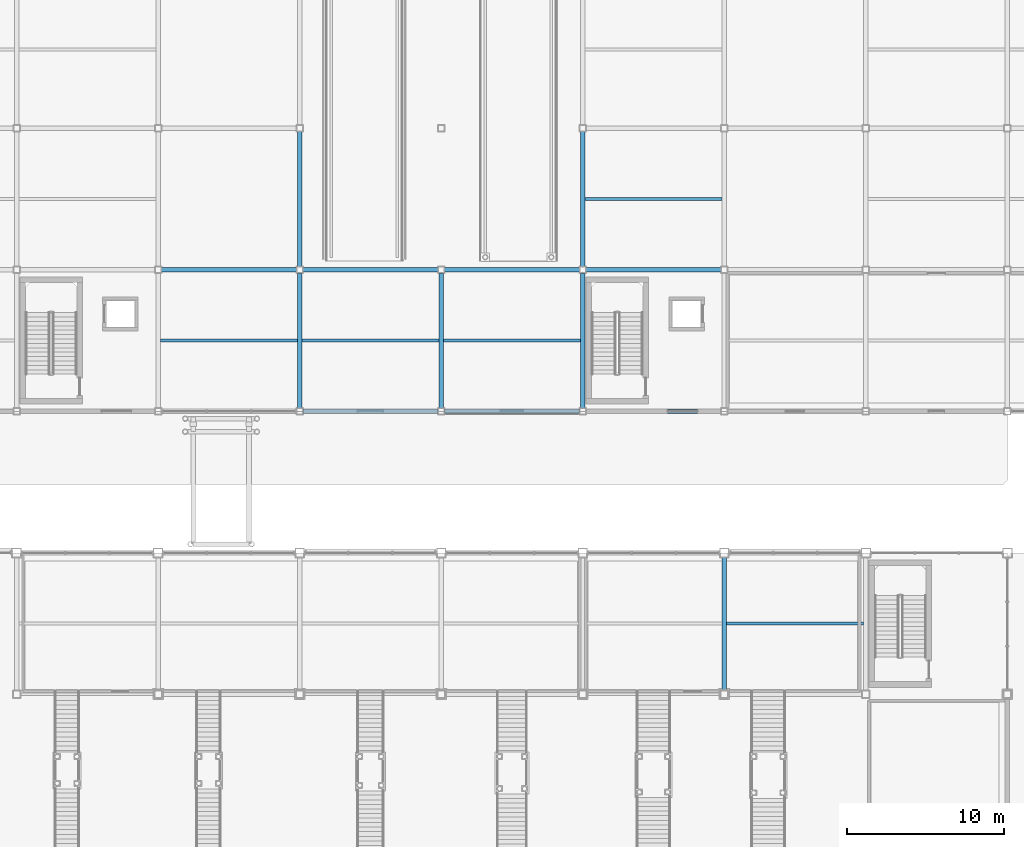
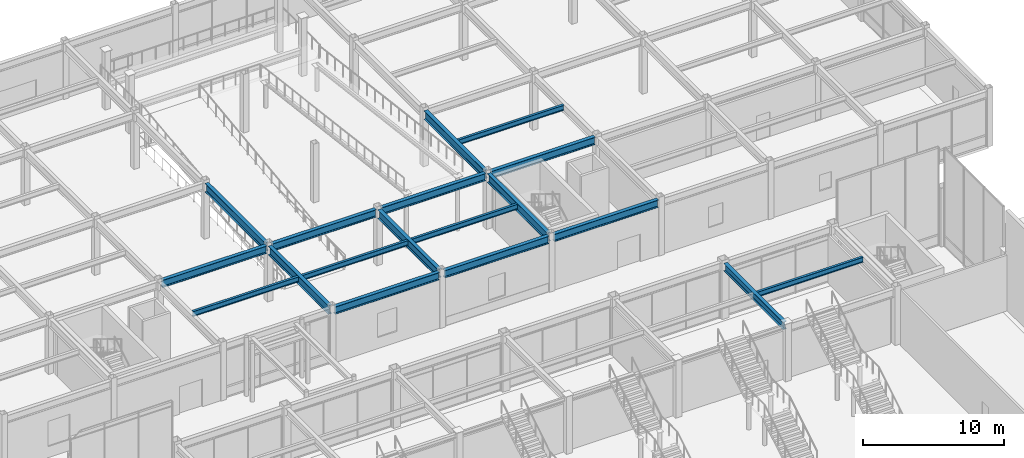
# One storey, part 48 of 123: 18 beams.
"""IFC4 building model written with IfcOpenShell, lengths in metres."""

from ifc_helpers import new_model, si_unit, direction, frame, origin, origin_2d, place, context, subcontext, project, spatial, i_section, extrude, material, material_profile, profile_set, type_object, element, save


model = new_model("IFC4")

# Units and contexts
model_context = context("Model", 3, precision=1e-05, world=origin(), true_north=direction((0.0, 1.0)))
body_context = subcontext(model_context, "Body", "Model", "MODEL_VIEW")
ifc_project = project(units=[si_unit("LENGTHUNIT", "METRE"), si_unit("AREAUNIT", "SQUARE_METRE"), si_unit("VOLUMEUNIT", "CUBIC_METRE"), si_unit("PLANEANGLEUNIT", "RADIAN"), si_unit("MASSUNIT", "GRAM", prefix="KILO")], contexts=[model_context])

# Site, building, storey
site_placement = place(None, origin())
site = spatial("IfcSite", under=ifc_project, at=site_placement, CompositionType="ELEMENT")
building_placement = place(site_placement, origin())
building = spatial("IfcBuilding", under=site, at=building_placement, Name="Suzunagisa Mobility Hub", CompositionType="ELEMENT")
storey_placement = place(building_placement, origin())
storey = spatial("IfcBuildingStorey", under=building, at=storey_placement, Name="L00", CompositionType="ELEMENT", Elevation=0.0)

# Beams
ifc_material_1 = material(Name="Steel SN400B", Category="steel")
ifc_material_profile_1 = material_profile(ifc_material_1, i_section(OverallWidth=0.199951171875, OverallDepth=0.449951171875, WebThickness=0.009033203125, FlangeThickness=0.013916015625, FilletRadius=0.012939453125, at=origin_2d()), Name="H-450x200x9x14")
ifc_profile_set_1 = profile_set([ifc_material_profile_1], Name="Steel SN400B")
beam_type_1 = type_object("IfcBeamType", Name="Steel Beam BM-05 H-450x200x9x14", PredefinedType="JOIST", material=ifc_profile_set_1)
for number, where, z_axis, x_axis, name in (
    (1, (99.14990234375, 66.5, 4.625), (1.0, 0.0, 0.0), (0.0, 1.0, 0.0), "L00 Composite Floor Joist J-412"),
    (2, (63.14990234375, 84.5, 4.614990234375), (1.0, 0.0, 0.0), (0.0, 1.0, 0.0), "L00 Composite Floor Joist J-786"),
    (3, (72.14990234375, 84.5, 4.614990234375), (1.0, 0.0, 0.0), (0.0, 1.0, 0.0), "L00 Composite Floor Joist J-788"),
    (4, (81.14990234375, 84.5, 4.614990234375), (1.0, 0.0, 0.0), (0.0, 1.0, 0.0), "L00 Composite Floor Joist J-789"),
    (5, (90.14990234375, 93.5, 4.614990234375), (1.0, 0.0, 0.0), (0.0, 1.0, 0.0), "L00 Composite Floor Joist J-790"),
):
    element("IfcBeam", number, at=place(storey_placement, frame(where, z_axis=z_axis, x_axis=x_axis)), inside=storey, type_object=beam_type_1, Name=name, PredefinedType="JOIST", context=body_context, shape_type="SweptSolid", body=[
        extrude(i_section(OverallWidth=0.199951171875, OverallDepth=0.449951171875, WebThickness=0.009033203125, FlangeThickness=0.013916015625, FilletRadius=0.012939453125, at=origin_2d()), origin(), (0.0, 0.0, 1.0), 8.7001953125),
    ])
ifc_material_2 = material(Name="Steel SN490B", Category="steel")
ifc_material_profile_2 = material_profile(ifc_material_2, i_section(OverallWidth=0.300048828125, OverallDepth=0.64990234375, WebThickness=0.012939453125, FlangeThickness=0.02197265625, FilletRadius=0.01611328125, at=origin_2d()), Name="H-650x300x13x22")
ifc_profile_set_2 = profile_set([ifc_material_profile_2], Name="Steel SN490B")
beam_type_2 = type_object("IfcBeamType", Name="Steel Beam BM-10 H-650x300x13x22", PredefinedType="BEAM", material=ifc_profile_set_2)
beam_placement = place(storey_placement, frame((99.0, 62.24609375, 4.52490234375), z_axis=(0.0, 1.0, 0.0), x_axis=(-1.0, 0.0, 0.0)))
element("IfcBeam", 6, at=beam_placement, inside=storey, type_object=beam_type_2, Name="L00 Primary Girder GY-405", PredefinedType="BEAM", context=body_context, shape_type="SweptSolid", body=[
    extrude(i_section(OverallWidth=0.300048828125, OverallDepth=0.64990234375, WebThickness=0.012939453125, FlangeThickness=0.02197265625, FilletRadius=0.01611328125, at=origin_2d()), origin(), (0.0, 0.0, 1.0), 8.4580078125),
])
for number, where, z_axis, x_axis, name in (
    (7, (72.220947265625, 80.0, 4.514892578125), (1.0, 0.0, 0.0), (0.0, 1.0, 0.0), "L00 Primary Girder GX-705"),
    (8, (81.220947265625, 80.0, 4.514892578125), (1.0, 0.0, 0.0), (0.0, 1.0, 0.0), "L00 Primary Girder GX-706"),
    (9, (90.220947265625, 80.0, 4.514892578125), (1.0, 0.0, 0.0), (0.0, 1.0, 0.0), "L00 Primary Girder GX-707"),
    (10, (63.220947265625, 89.0, 4.514892578125), (1.0, 0.0, 0.0), (0.0, 1.0, 0.0), "L00 Primary Girder GX-713"),
    (11, (72.220947265625, 89.0, 4.514892578125), (1.0, 0.0, 0.0), (0.0, 1.0, 0.0), "L00 Primary Girder GX-714"),
    (12, (81.220947265625, 89.0, 4.514892578125), (1.0, 0.0, 0.0), (0.0, 1.0, 0.0), "L00 Primary Girder GX-715"),
    (13, (90.220947265625, 89.0, 4.514892578125), (1.0, 0.0, 0.0), (0.0, 1.0, 0.0), "L00 Primary Girder GX-716"),
):
    element("IfcBeam", number, at=place(storey_placement, frame(where, z_axis=z_axis, x_axis=x_axis)), inside=storey, type_object=beam_type_2, Name=name, PredefinedType="BEAM", context=body_context, shape_type="SweptSolid", body=[
        extrude(i_section(OverallWidth=0.300048828125, OverallDepth=0.64990234375, WebThickness=0.012939453125, FlangeThickness=0.02197265625, FilletRadius=0.01611328125, at=origin_2d()), origin(), (0.0, 0.0, 1.0), 8.55810546875),
    ])
ifc_material_profile_3 = material_profile(ifc_material_2, i_section(OverallWidth=0.300048828125, OverallDepth=0.75, WebThickness=0.013916015625, FlangeThickness=0.02587890625, FilletRadius=0.01806640625, at=origin_2d()), Name="H-750x300x14x26")
ifc_profile_set_3 = profile_set([ifc_material_profile_3], Name="Steel SN490B")
beam_type_3 = type_object("IfcBeamType", Name="Steel Beam BM-15 H-750x300x14x26", PredefinedType="BEAM", material=ifc_profile_set_3)
for number, where, z_axis, x_axis, name in (
    (14, (72.0, 80.220947265625, 4.465087890625), (0.0, 1.0, 0.0), (-1.0, 0.0, 0.0), "L00 Primary Girder GY-754"),
    (15, (72.0, 89.220947265625, 4.465087890625), (0.0, 1.0, 0.0), (-1.0, 0.0, 0.0), "L00 Primary Girder GY-755"),
    (16, (81.0, 80.220947265625, 4.465087890625), (0.0, 1.0, 0.0), (-1.0, 0.0, 0.0), "L00 Primary Girder GY-758"),
    (17, (90.0, 80.220947265625, 4.465087890625), (0.0, 1.0, 0.0), (-1.0, 0.0, 0.0), "L00 Primary Girder GY-759"),
    (18, (90.0, 89.220947265625, 4.465087890625), (0.0, 1.0, 0.0), (-1.0, 0.0, 0.0), "L00 Primary Girder GY-760"),
):
    element("IfcBeam", number, at=place(storey_placement, frame(where, z_axis=z_axis, x_axis=x_axis)), inside=storey, type_object=beam_type_3, Name=name, PredefinedType="BEAM", context=body_context, shape_type="SweptSolid", body=[
        extrude(i_section(OverallWidth=0.300048828125, OverallDepth=0.75, WebThickness=0.013916015625, FlangeThickness=0.02587890625, FilletRadius=0.01806640625, at=origin_2d()), origin(), (0.0, 0.0, 1.0), 8.55810546875),
    ])

save(model, "model.ifc")
